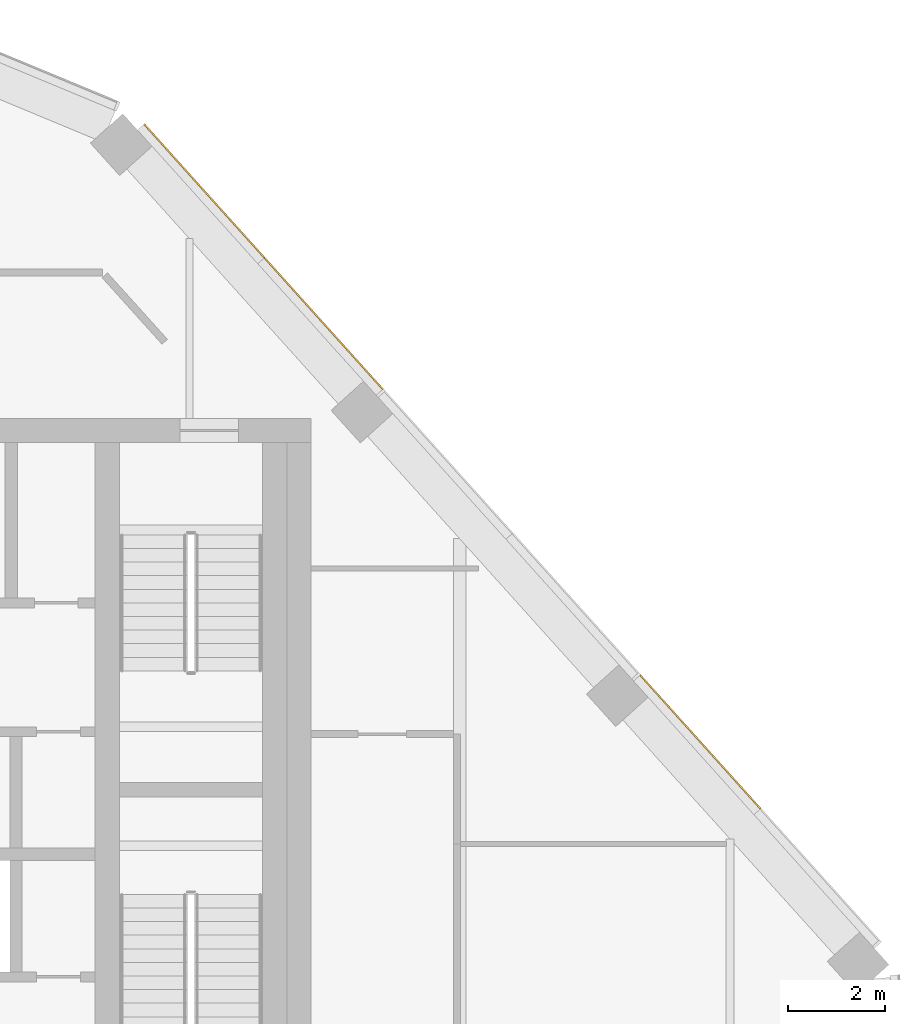
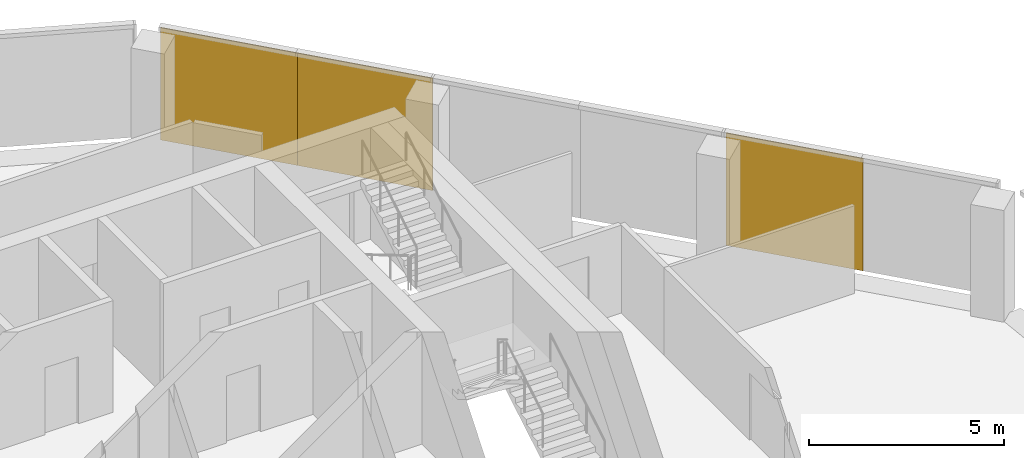
# One storey, part 15 of 15: 3 coverings, 1 element without a shape of its own.
"""IFC4 building model written with IfcOpenShell, lengths in metres."""

from ifc_helpers import new_model, si_unit, direction, frame, origin, origin_2d, place, context, subcontext, project, spatial, rectangle, extrude, material, layer, layer_set, type_object, element, aggregate, save


model = new_model("IFC4")

# Units and contexts
model_context = context("Model", 3, precision=1e-05, world=origin(), true_north=direction((0.0, 1.0)))
body_context = subcontext(model_context, "Body", "Model", "MODEL_VIEW")
ifc_project = project(units=[si_unit("LENGTHUNIT", "METRE"), si_unit("AREAUNIT", "SQUARE_METRE"), si_unit("VOLUMEUNIT", "CUBIC_METRE"), si_unit("PLANEANGLEUNIT", "RADIAN"), si_unit("MASSUNIT", "GRAM", prefix="KILO")], contexts=[model_context])

# Site, building, storey
site_placement = place(None, origin())
site = spatial("IfcSite", under=ifc_project, at=site_placement, CompositionType="ELEMENT")
building_placement = place(site_placement, origin())
building = spatial("IfcBuilding", under=site, at=building_placement, Name="Isthmus Gate Tower", CompositionType="ELEMENT")
storey_placement = place(building_placement, frame((0.0, 0.0, 293.800048828125)))
storey = spatial("IfcBuildingStorey", under=building, at=storey_placement, Name="L75", CompositionType="ELEMENT", Elevation=293.800048828125)

# Curtain wall, coverings
ifc_material_1 = material(Name="Aluminium, pale champagne anodised", Category="aluminium")
ifc_layer_1 = layer(ifc_material_1, 0.199951171875)
ifc_layer_set_1 = layer_set([ifc_layer_1], Name="CW-1 UNITISED CURTAIN WALL 200 DEEP")
curtain_wall_type = type_object("IfcCurtainWallType", Name="CW-1 UNITISED CURTAIN WALL 200 DEEP", PredefinedType="NOTDEFINED", material=ifc_layer_set_1)
curtain_wall_placement = place(storey_placement, origin())
curtain_wall = element("IfcCurtainWall", 1, at=curtain_wall_placement, inside=storey, type_object=curtain_wall_type, Name="CW-1 NE L75", PredefinedType="NOTDEFINED")
ifc_material_2 = material(Name="Aluminium composite panel, pale champagne anodised", Category="aluminium")
ifc_layer_2 = layer(ifc_material_2, 0.031982421875)
ifc_layer_set_2 = layer_set([ifc_layer_2], Name="CW-1 PALE METAL PANEL 32")
covering_type = type_object("IfcCoveringType", Name="CW-1 PALE METAL PANEL 32", PredefinedType="CLADDING", material=ifc_layer_set_2)
covering_1_placement = place(storey_placement, frame((23.012939453125, 8.33837890625, 0.0), z_axis=(0.0, 0.0, 1.0), x_axis=(-0.669130606359, 0.743144825477, 0.0)))
covering_1 = element("IfcCovering", 2, at=covering_1_placement, type_object=covering_type, Name="CW-1 pale metal panel", PredefinedType="CLADDING", context=body_context, shape_type="SweptSolid", body=[
    extrude(rectangle(XDim=3.703369140625, YDim=0.031982421875, at=origin_2d()), origin(), (0.0, 0.0, 1.0), 3.52001953125),
])
covering_2_placement = place(storey_placement, frame((15.257568359375, 16.95166015625, 0.0), z_axis=(0.0, 0.0, 1.0), x_axis=(-0.669130606359, 0.743144825477, 0.0)))
covering_2 = element("IfcCovering", 3, at=covering_2_placement, type_object=covering_type, Name="CW-1 pale metal panel", PredefinedType="CLADDING", context=body_context, shape_type="SweptSolid", body=[
    extrude(rectangle(XDim=3.643310546875, YDim=0.031982421875, at=origin_2d()), origin(), (0.0, 0.0, 1.0), 3.52001953125),
])
covering_3_placement = place(storey_placement, frame((12.799560546875, 19.681396484375, 0.0), z_axis=(0.0, 0.0, 1.0), x_axis=(-0.669130606359, 0.743144825477, 0.0)))
covering_3 = element("IfcCovering", 4, at=covering_3_placement, type_object=covering_type, Name="CW-1 pale metal panel", PredefinedType="CLADDING", context=body_context, shape_type="SweptSolid", body=[
    extrude(rectangle(XDim=3.703369140625, YDim=0.031982421875, at=origin_2d()), origin(), (0.0, 0.0, 1.0), 3.52001953125),
])
aggregate(curtain_wall, [covering_1, covering_2, covering_3])

save(model, "model.ifc")
